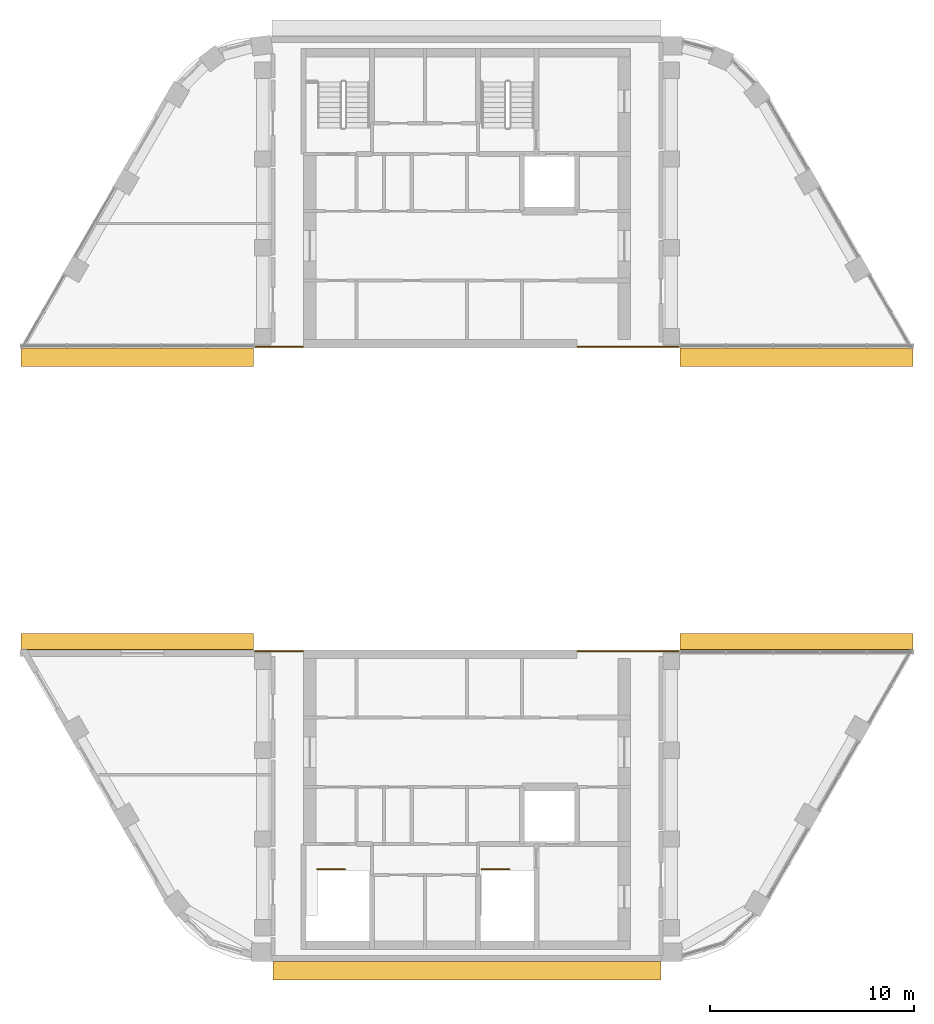
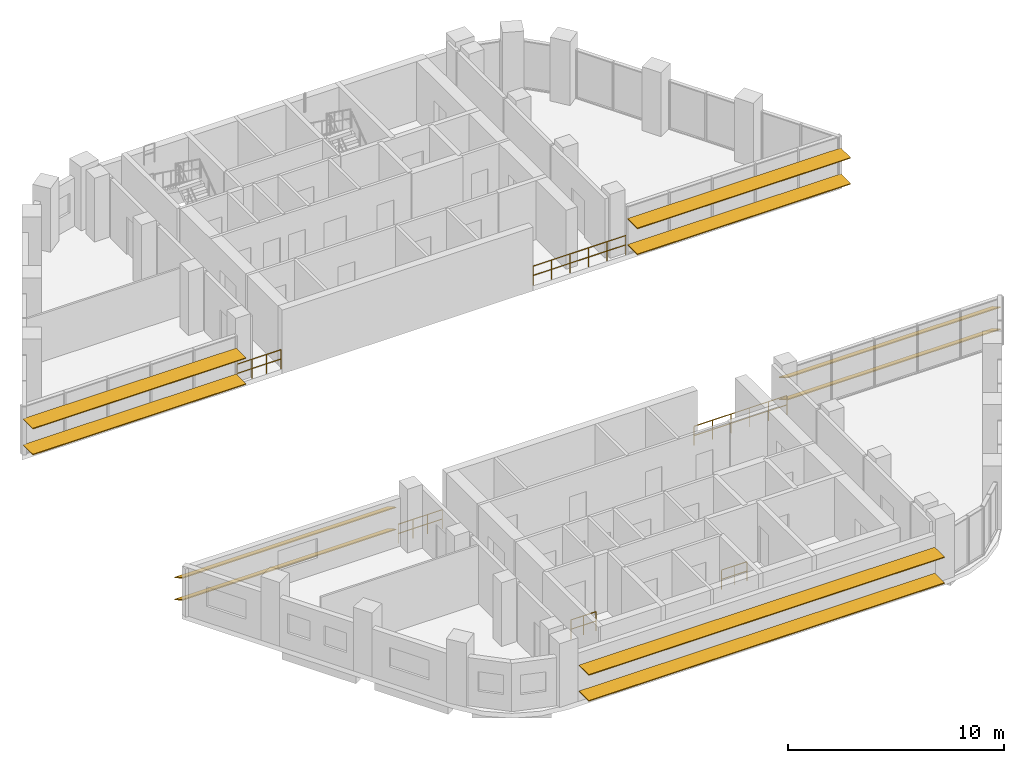
# One storey, part 12 of 13: 10 shading devices, 6 railings.
"""IFC4 building model written with IfcOpenShell, lengths in metres."""

from ifc_helpers import new_model, si_unit, direction, frame, origin, origin_2d, place, context, subcontext, project, spatial, rectangle, circle, extrude, material, material_profile, profile_set, type_object, element, save


model = new_model("IFC4")

# Units and contexts
model_context = context("Model", 3, precision=1e-05, world=origin(), true_north=direction((0.0, 1.0)))
body_context = subcontext(model_context, "Body", "Model", "MODEL_VIEW")
ifc_project = project(units=[si_unit("LENGTHUNIT", "METRE"), si_unit("AREAUNIT", "SQUARE_METRE"), si_unit("VOLUMEUNIT", "CUBIC_METRE"), si_unit("PLANEANGLEUNIT", "RADIAN"), si_unit("MASSUNIT", "GRAM", prefix="KILO")], contexts=[model_context])

# Site, building, storey
site_placement = place(None, origin())
site = spatial("IfcSite", under=ifc_project, at=site_placement, CompositionType="ELEMENT")
building_placement = place(site_placement, origin())
building = spatial("IfcBuilding", under=site, at=building_placement, Name="Nakaniwa Court", CompositionType="ELEMENT")
storey_placement = place(building_placement, frame((0.0, 0.0, 286.800048828125)))
storey = spatial("IfcBuildingStorey", under=building, at=storey_placement, Name="C05", CompositionType="ELEMENT", Elevation=286.800048828125)

# Shading devices
ifc_material_1 = material(Name="Perforated charcoal ceramic louvre blade")
ifc_material_profile = material_profile(ifc_material_1, rectangle(XDim=0.89990234375, YDim=0.050048828125, at=origin_2d()), Name="Perforated ceramic louvre blade")
ifc_profile_set = profile_set([ifc_material_profile], Name="Perforated charcoal ceramic louvre blade")
shading_device_type = type_object("IfcShadingDeviceType", Name="Perforated ceramic louvre blade", PredefinedType="JALOUSIE", material=ifc_profile_set)
for number, where, z_axis, x_axis, name in (
    (1, (101.83154296875, 73.002197265625, 0.550048828125), (-1.0, 0.0, 0.0), (0.0, -0.866025403784, 0.5), "C05 perforated ceramic louvre blade w03 1"),
    (2, (101.83154296875, 73.002197265625, 1.793212890625), (-1.0, 0.0, 0.0), (0.0, -0.866025403784, 0.5), "C05 perforated ceramic louvre blade w03 2"),
    (3, (69.553955078125, 73.002197265625, 0.550048828125), (-1.0, 0.0, 0.0), (0.0, -0.866025403784, 0.5), "C05 perforated ceramic louvre blade w04 1"),
    (4, (69.553955078125, 73.002197265625, 1.793212890625), (-1.0, 0.0, 0.0), (0.0, -0.866025403784, 0.5), "C05 perforated ceramic louvre blade w04 2"),
):
    element("IfcShadingDevice", number, at=place(storey_placement, frame(where, z_axis=z_axis, x_axis=x_axis)), inside=storey, type_object=shading_device_type, Name=name, PredefinedType="JALOUSIE", context=body_context, shape_type="SweptSolid", body=[
        extrude(rectangle(XDim=0.89990234375, YDim=0.050048828125, at=origin_2d()), origin(), (0.0, 0.0, 1.0), 11.385498046875),
    ])
for number, where, z_axis, x_axis, name in (
    (5, (70.500732421875, 56.89990234375, 0.550048828125), (1.0, 0.0, 0.0), (0.0, 1.0, 0.0), "C05 perforated ceramic louvre blade w10 1"),
    (6, (70.500732421875, 56.89990234375, 2.014892578125), (1.0, 0.0, 0.0), (0.0, 1.0, 0.0), "C05 perforated ceramic louvre blade w10 2"),
):
    element("IfcShadingDevice", number, at=place(storey_placement, frame(where, z_axis=z_axis, x_axis=x_axis)), inside=storey, type_object=shading_device_type, Name=name, PredefinedType="JALOUSIE", context=body_context, shape_type="SweptSolid", body=[
        extrude(rectangle(XDim=0.89990234375, YDim=0.050048828125, at=origin_2d()), origin(), (0.0, 0.0, 1.0), 18.99267578125),
    ])
for number, where, z_axis, x_axis, name in (
    (7, (58.16845703125, 86.949951171875, 0.550048828125), (1.0, 0.0, 0.0), (0.0, 1.0, 0.0), "C05 perforated ceramic louvre blade w16 1"),
    (8, (58.16845703125, 86.949951171875, 2.014892578125), (1.0, 0.0, 0.0), (0.0, 1.0, 0.0), "C05 perforated ceramic louvre blade w16 2"),
    (9, (90.446044921875, 86.949951171875, 0.550048828125), (1.0, 0.0, 0.0), (0.0, 1.0, 0.0), "C05 perforated ceramic louvre blade w17 1"),
    (10, (90.446044921875, 86.949951171875, 2.014892578125), (1.0, 0.0, 0.0), (0.0, 1.0, 0.0), "C05 perforated ceramic louvre blade w17 2"),
):
    element("IfcShadingDevice", number, at=place(storey_placement, frame(where, z_axis=z_axis, x_axis=x_axis)), inside=storey, type_object=shading_device_type, Name=name, PredefinedType="JALOUSIE", context=body_context, shape_type="SweptSolid", body=[
        extrude(rectangle(XDim=0.89990234375, YDim=0.050048828125, at=origin_2d()), origin(), (0.0, 0.0, 1.0), 11.385498046875),
    ])

# Railings
ifc_material_2 = material(Name="Black powder coated steel guard", Category="steel")
railing_type = type_object("IfcRailingType", Name="Stair guard 1100", PredefinedType="GUARDRAIL", material=ifc_material_2)
for number, where, name in (
    (11, (72.675048828125, 61.875, 0.0), "C05 ST3 top well guard 1"),
    (12, (80.72509765625, 61.875, 0.0), "C05 ST4 top well guard 1"),
):
    element("IfcRailing", number, at=place(storey_placement, frame(where)), inside=storey, type_object=railing_type, Name=name, PredefinedType="GUARDRAIL", context=body_context, shape_type="SweptSolid", body=[
        extrude(circle(Radius=0.02392578125, at=origin_2d()), frame((0.0, 0.0, 1.076171875), z_axis=(1.0, 0.0, 0.0), x_axis=(0.0, 1.0, 0.0)), (0.0, 0.0, 1.0), 1.349853515625),
        extrude(circle(Radius=0.02392578125, at=origin_2d()), frame((0.0, 0.0, 0.550048828125), z_axis=(1.0, 0.0, 0.0), x_axis=(0.0, 1.0, 0.0)), (0.0, 0.0, 1.0), 1.349853515625),
        extrude(circle(Radius=0.02099609375, at=origin_2d()), origin(), (0.0, 0.0, 1.0), 1.052001953125),
        extrude(circle(Radius=0.02099609375, at=origin_2d()), frame((0.6748046875, 0.0, 0.0)), (0.0, 0.0, 1.0), 1.052001953125),
        extrude(circle(Radius=0.02099609375, at=origin_2d()), frame((1.349853515625, 0.0, 0.0)), (0.0, 0.0, 1.0), 1.052001953125),
    ])
railing_1_placement = place(storey_placement, frame((69.625244140625, 72.550048828125, 0.0)))
element("IfcRailing", 13, at=railing_1_placement, inside=storey, type_object=railing_type, Name="GUARD GD-C05-173", PredefinedType="GUARDRAIL", context=body_context, shape_type="SweptSolid", body=[
    extrude(circle(Radius=0.02392578125, at=origin_2d()), frame((0.0, 0.0, 1.076171875), z_axis=(1.0, 0.0, 0.0), x_axis=(0.0, 1.0, 0.0)), (0.0, 0.0, 1.0), 2.34912109375),
    extrude(circle(Radius=0.02392578125, at=origin_2d()), frame((0.0, 0.0, 0.550048828125), z_axis=(1.0, 0.0, 0.0), x_axis=(0.0, 1.0, 0.0)), (0.0, 0.0, 1.0), 2.34912109375),
    extrude(circle(Radius=0.02099609375, at=origin_2d()), origin(), (0.0, 0.0, 1.0), 1.052001953125),
    extrude(circle(Radius=0.02099609375, at=origin_2d()), frame((0.782958984375, 0.0, 0.0)), (0.0, 0.0, 1.0), 1.052001953125),
    extrude(circle(Radius=0.02099609375, at=origin_2d()), frame((1.566162109375, 0.0, 0.0)), (0.0, 0.0, 1.0), 1.052001953125),
    extrude(circle(Radius=0.02099609375, at=origin_2d()), frame((2.34912109375, 0.0, 0.0)), (0.0, 0.0, 1.0), 1.052001953125),
])
railing_2_placement = place(storey_placement, frame((85.419189453125, 72.550048828125, 0.0)))
element("IfcRailing", 14, at=railing_2_placement, inside=storey, type_object=railing_type, Name="GUARD GD-C05-174", PredefinedType="GUARDRAIL", context=body_context, shape_type="SweptSolid", body=[
    extrude(circle(Radius=0.02392578125, at=origin_2d()), frame((0.0, 0.0, 1.076171875), z_axis=(1.0, 0.0, 0.0), x_axis=(0.0, 1.0, 0.0)), (0.0, 0.0, 1.0), 4.95556640625),
    extrude(circle(Radius=0.02392578125, at=origin_2d()), frame((0.0, 0.0, 0.550048828125), z_axis=(1.0, 0.0, 0.0), x_axis=(0.0, 1.0, 0.0)), (0.0, 0.0, 1.0), 4.95556640625),
    extrude(circle(Radius=0.02099609375, at=origin_2d()), origin(), (0.0, 0.0, 1.0), 1.052001953125),
    extrude(circle(Radius=0.02099609375, at=origin_2d()), frame((0.9912109375, 0.0, 0.0)), (0.0, 0.0, 1.0), 1.052001953125),
    extrude(circle(Radius=0.02099609375, at=origin_2d()), frame((1.982177734375, 0.0, 0.0)), (0.0, 0.0, 1.0), 1.052001953125),
    extrude(circle(Radius=0.02099609375, at=origin_2d()), frame((2.973388671875, 0.0, 0.0)), (0.0, 0.0, 1.0), 1.052001953125),
    extrude(circle(Radius=0.02099609375, at=origin_2d()), frame((3.96435546875, 0.0, 0.0)), (0.0, 0.0, 1.0), 1.052001953125),
    extrude(circle(Radius=0.02099609375, at=origin_2d()), frame((4.95556640625, 0.0, 0.0)), (0.0, 0.0, 1.0), 1.052001953125),
])
railing_3_placement = place(storey_placement, frame((90.374755859375, 87.449951171875, 0.0)))
element("IfcRailing", 15, at=railing_3_placement, inside=storey, type_object=railing_type, Name="GUARD GD-C05-175", PredefinedType="GUARDRAIL", context=body_context, shape_type="SweptSolid", body=[
    extrude(circle(Radius=0.02392578125, at=origin_2d()), frame((0.0, 0.0, 1.076171875), z_axis=(-1.0, 0.0, 0.0), x_axis=(0.0, -1.0, 0.0)), (0.0, 0.0, 1.0), 4.95556640625),
    extrude(circle(Radius=0.02392578125, at=origin_2d()), frame((0.0, 0.0, 0.550048828125), z_axis=(-1.0, 0.0, 0.0), x_axis=(0.0, -1.0, 0.0)), (0.0, 0.0, 1.0), 4.95556640625),
    extrude(circle(Radius=0.02099609375, at=origin_2d()), origin(), (0.0, 0.0, 1.0), 1.052001953125),
    extrude(circle(Radius=0.02099609375, at=origin_2d()), frame((-0.9912109375, 0.0, 0.0)), (0.0, 0.0, 1.0), 1.052001953125),
    extrude(circle(Radius=0.02099609375, at=origin_2d()), frame((-1.982177734375, 0.0, 0.0)), (0.0, 0.0, 1.0), 1.052001953125),
    extrude(circle(Radius=0.02099609375, at=origin_2d()), frame((-2.973388671875, 0.0, 0.0)), (0.0, 0.0, 1.0), 1.052001953125),
    extrude(circle(Radius=0.02099609375, at=origin_2d()), frame((-3.96435546875, 0.0, 0.0)), (0.0, 0.0, 1.0), 1.052001953125),
    extrude(circle(Radius=0.02099609375, at=origin_2d()), frame((-4.95556640625, 0.0, 0.0)), (0.0, 0.0, 1.0), 1.052001953125),
])
railing_4_placement = place(storey_placement, frame((71.974365234375, 87.449951171875, 0.0)))
element("IfcRailing", 16, at=railing_4_placement, inside=storey, type_object=railing_type, Name="GUARD GD-C05-176", PredefinedType="GUARDRAIL", context=body_context, shape_type="SweptSolid", body=[
    extrude(circle(Radius=0.02392578125, at=origin_2d()), frame((0.0, 0.0, 1.076171875), z_axis=(-1.0, 0.0, 0.0), x_axis=(0.0, -1.0, 0.0)), (0.0, 0.0, 1.0), 2.34912109375),
    extrude(circle(Radius=0.02392578125, at=origin_2d()), frame((0.0, 0.0, 0.550048828125), z_axis=(-1.0, 0.0, 0.0), x_axis=(0.0, -1.0, 0.0)), (0.0, 0.0, 1.0), 2.34912109375),
    extrude(circle(Radius=0.02099609375, at=origin_2d()), origin(), (0.0, 0.0, 1.0), 1.052001953125),
    extrude(circle(Radius=0.02099609375, at=origin_2d()), frame((-0.782958984375, 0.0, 0.0)), (0.0, 0.0, 1.0), 1.052001953125),
    extrude(circle(Radius=0.02099609375, at=origin_2d()), frame((-1.566162109375, 0.0, 0.0)), (0.0, 0.0, 1.0), 1.052001953125),
    extrude(circle(Radius=0.02099609375, at=origin_2d()), frame((-2.34912109375, 0.0, 0.0)), (0.0, 0.0, 1.0), 1.052001953125),
])

save(model, "model.ifc")
